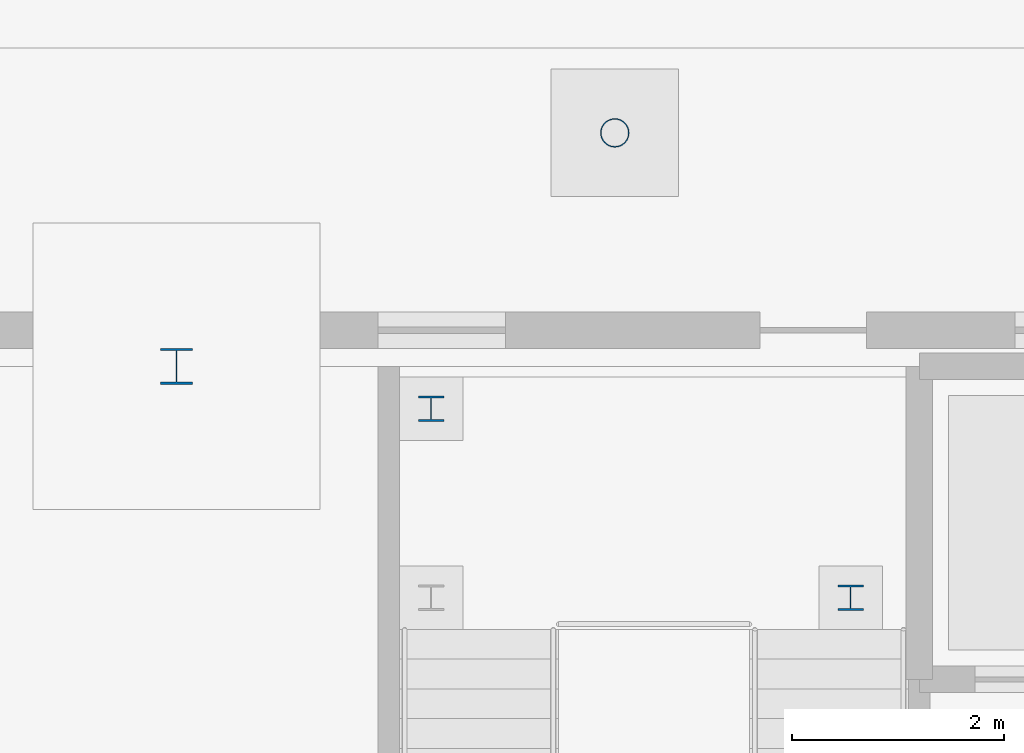
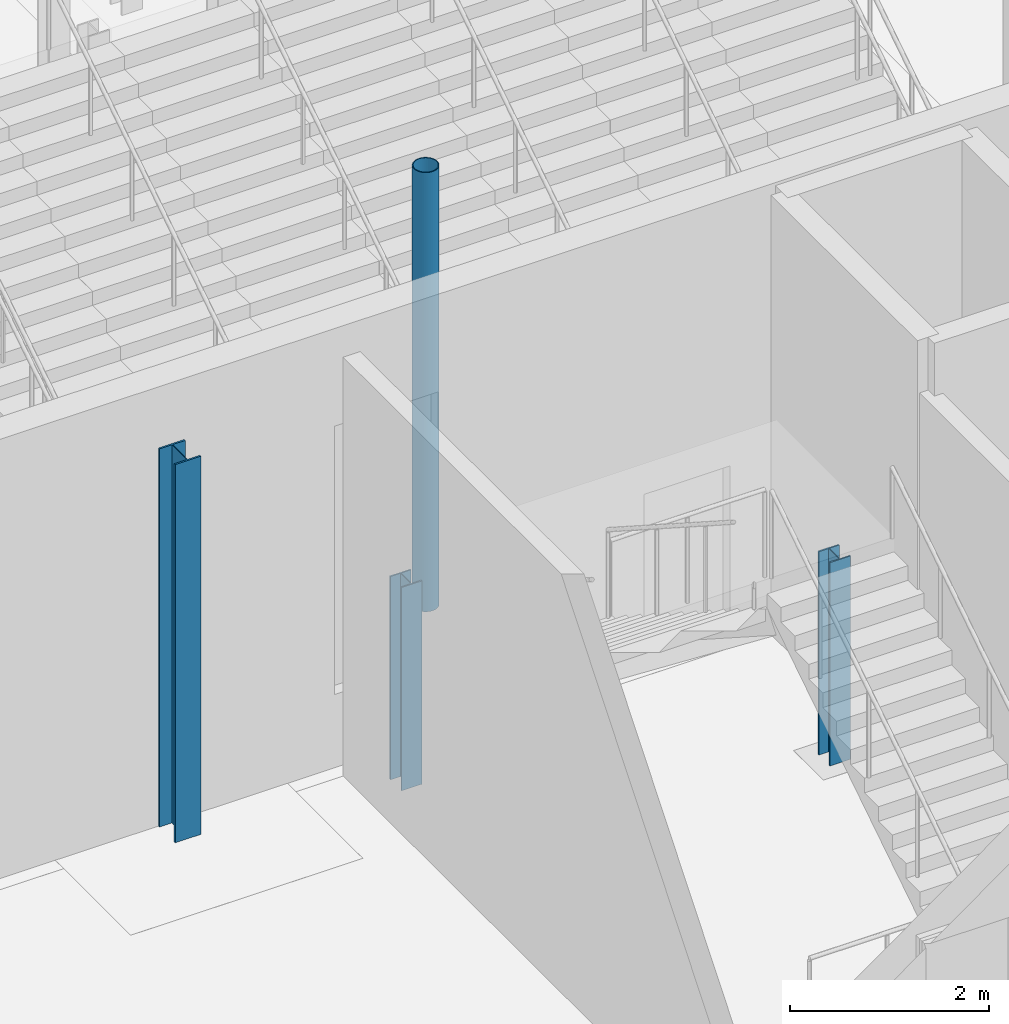
# One storey, part 27 of 132: 4 columns.
"""IFC4 building model written with IfcOpenShell, lengths in metres."""

from ifc_helpers import new_model, si_unit, direction, frame, origin, origin_2d, place, context, subcontext, project, spatial, hollow_circle, i_section, extrude, material, material_profile, profile_set, type_object, element, save


model = new_model("IFC4")

# Units and contexts
model_context = context("Model", 3, precision=1e-05, world=origin(), true_north=direction((0.0, 1.0)))
body_context = subcontext(model_context, "Body", "Model", "MODEL_VIEW")
ifc_project = project(units=[si_unit("LENGTHUNIT", "METRE"), si_unit("AREAUNIT", "SQUARE_METRE"), si_unit("VOLUMEUNIT", "CUBIC_METRE"), si_unit("PLANEANGLEUNIT", "RADIAN"), si_unit("MASSUNIT", "GRAM", prefix="KILO")], contexts=[model_context])

# Site, building, storey
site_placement = place(None, origin())
site = spatial("IfcSite", under=ifc_project, at=site_placement, CompositionType="ELEMENT")
building_placement = place(site_placement, origin())
building = spatial("IfcBuilding", under=site, at=building_placement, Name="Ravi Spectrum Wholesale Market", CompositionType="ELEMENT")
storey_placement = place(building_placement, origin())
storey = spatial("IfcBuildingStorey", under=building, at=storey_placement, Name="L00", CompositionType="ELEMENT", Elevation=0.0)

# Columns
ifc_material_1 = material(Name="Steel S355", Category="steel")
ifc_material_profile_1 = material_profile(ifc_material_1, hollow_circle(Radius=0.136474609375, WallThickness=0.010009765625, at=origin_2d()))
ifc_profile_set_1 = profile_set([ifc_material_profile_1], Name="Steel S355")
column_type_1 = type_object("IfcColumnType", Name="CHS 273x10 column", PredefinedType="COLUMN", material=ifc_profile_set_1)
column_1_placement = place(storey_placement, frame((63.13037109375, 197.199951171875, 0.0), z_axis=(0.0, 0.0, 1.0), x_axis=(1.0, 0.0, 0.0)))
element("IfcColumn", 1, at=column_1_placement, inside=storey, type_object=column_type_1, Name="H1-COL-L00-049", PredefinedType="COLUMN", context=body_context, shape_type="SweptSolid", body=[
    extrude(hollow_circle(Radius=0.136474609375, WallThickness=0.010009765625, at=origin_2d()), origin(), (0.0, 0.0, 1.0), 5.39990234375),
])
ifc_material_2 = material(Name="Steel S355", Category="steel")
ifc_material_profile_2 = material_profile(ifc_material_2, i_section(OverallWidth=0.239990234375, OverallDepth=0.239990234375, WebThickness=0.010009765625, FlangeThickness=0.01708984375, at=origin_2d()))
ifc_profile_set_2 = profile_set([ifc_material_profile_2], Name="Steel S355")
column_type_2 = type_object("IfcColumnType", Name="HEB 240 column", PredefinedType="COLUMN", material=ifc_profile_set_2)
for number, where, z_axis, x_axis, name in (
    (2, (61.39990234375, 194.60009765625, 0.0), (0.0, 0.0, 1.0), (1.0, 0.0, 0.0), "H1-COL-L00-084"),
    (3, (65.35302734375, 192.820068359375, 0.0), (0.0, 0.0, 1.0), (1.0, 0.0, 0.0), "H1-COL-L00-085"),
):
    element("IfcColumn", number, at=place(storey_placement, frame(where, z_axis=z_axis, x_axis=x_axis)), inside=storey, type_object=column_type_2, Name=name, PredefinedType="COLUMN", context=body_context, shape_type="SweptSolid", body=[
        extrude(i_section(OverallWidth=0.239990234375, OverallDepth=0.239990234375, WebThickness=0.010009765625, FlangeThickness=0.01708984375, at=origin_2d()), origin(), (0.0, 0.0, 1.0), 2.5),
    ])
ifc_material_3 = material(Name="Steel S355", Category="steel")
ifc_material_profile_3 = material_profile(ifc_material_3, i_section(OverallWidth=0.300048828125, OverallDepth=0.340087890625, WebThickness=0.011962890625, FlangeThickness=0.021484375, at=origin_2d()))
ifc_profile_set_3 = profile_set([ifc_material_profile_3], Name="Steel S355")
column_type_3 = type_object("IfcColumnType", Name="HEB 340 column", PredefinedType="COLUMN", material=ifc_profile_set_3)
column_2_placement = place(storey_placement, frame((59.0, 195.0, 0.0), z_axis=(0.0, 0.0, 1.0), x_axis=(1.0, 0.0, 0.0)))
element("IfcColumn", 4, at=column_2_placement, inside=storey, type_object=column_type_3, Name="H1-COL-L00-064", PredefinedType="COLUMN", context=body_context, shape_type="SweptSolid", body=[
    extrude(i_section(OverallWidth=0.300048828125, OverallDepth=0.340087890625, WebThickness=0.011962890625, FlangeThickness=0.021484375, at=origin_2d()), origin(), (0.0, 0.0, 1.0), 4.64990234375),
])

save(model, "model.ifc")
